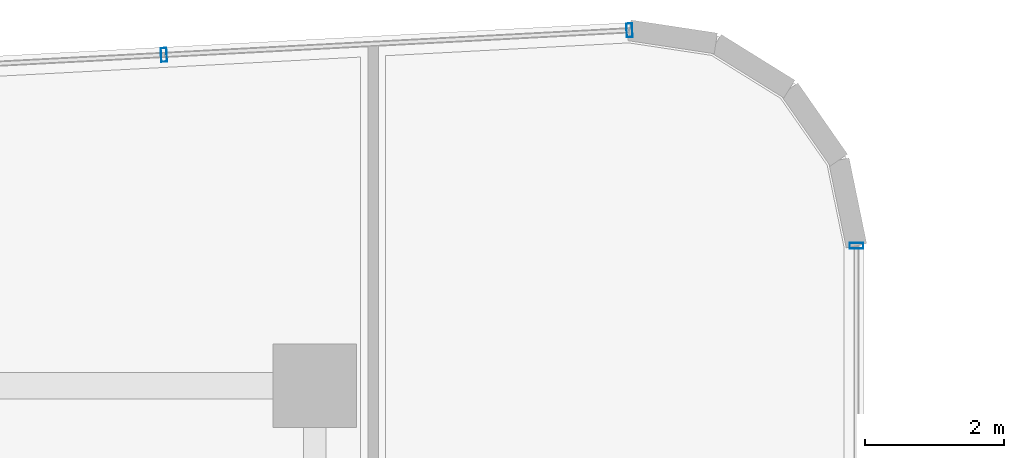
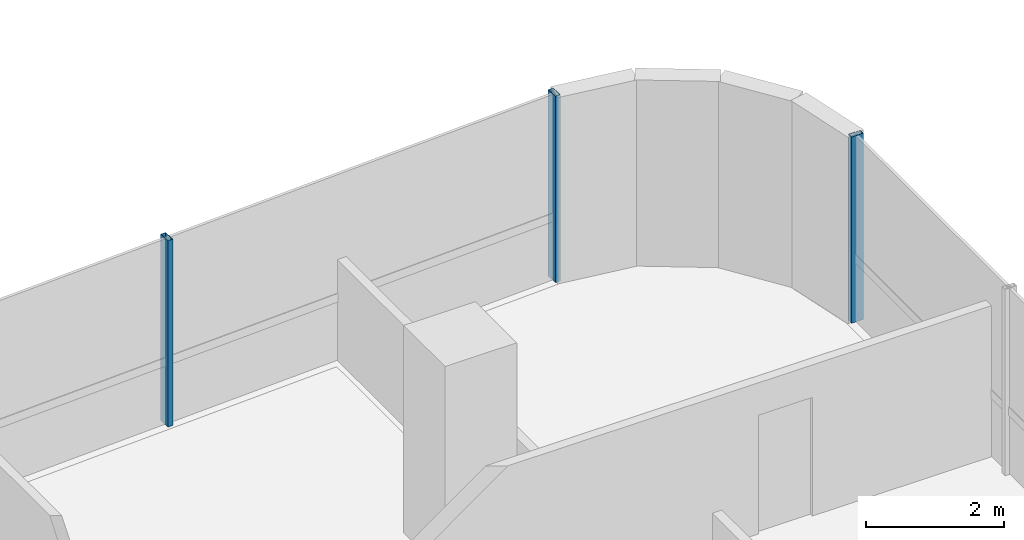
# One storey, part 22 of 35: 3 members, 2 elements without a shape of their own.
"""IFC4 building model written with IfcOpenShell, lengths in metres."""

from ifc_helpers import new_model, si_unit, direction, frame, origin, origin_2d, place, context, subcontext, project, spatial, hollow_rectangle, extrude, source, transform, mapped, material, material_profile, profile_set, type_object, element, aggregate, save


model = new_model("IFC4")

# Units and contexts
model_context = context("Model", 3, precision=1e-05, world=origin(), true_north=direction((0.0, 1.0)))
body_context = subcontext(model_context, "Body", "Model", "MODEL_VIEW")
ifc_project = project(units=[si_unit("LENGTHUNIT", "METRE"), si_unit("AREAUNIT", "SQUARE_METRE"), si_unit("VOLUMEUNIT", "CUBIC_METRE"), si_unit("PLANEANGLEUNIT", "RADIAN"), si_unit("MASSUNIT", "GRAM", prefix="KILO")], contexts=[model_context])

# Site, building, storey
site_placement = place(None, origin())
site = spatial("IfcSite", under=ifc_project, at=site_placement, CompositionType="ELEMENT")
building_placement = place(site_placement, origin())
building = spatial("IfcBuilding", under=site, at=building_placement, Name="Valdorenza Pilgrim Sanctuary Tower", CompositionType="ELEMENT")
storey_placement = place(building_placement, frame((0.0, 0.0, 168.60009765625)))
storey = spatial("IfcBuildingStorey", under=building, at=storey_placement, Name="L43", CompositionType="ELEMENT", Elevation=168.60009765625)

# Curtain wall, members
ifc_material_1 = material(Name="Curtain-wall IGU glazing", Category="glass")
curtain_wall_type = type_object("IfcCurtainWallType", Name="CW-SYS-02", PredefinedType="NOTDEFINED", material=ifc_material_1)
curtain_wall_1_placement = place(storey_placement, origin())
curtain_wall_1 = element("IfcCurtainWall", 1, at=curtain_wall_1_placement, inside=storey, type_object=curtain_wall_type, Name="L43 Curtain Wall CW-L43-1-6", PredefinedType="NOTDEFINED")
ifc_material_2 = material(Name="Anodised aluminium AW-6060", Category="aluminium")
ifc_material_profile = material_profile(ifc_material_2, hollow_rectangle(XDim=0.0849609375, YDim=0.199951171875, WallThickness=0.0048828125, at=origin_2d()), Name="ALU-M 200x85x5")
ifc_profile_set = profile_set([ifc_material_profile], Name="Anodised aluminium AW-6060")
member_type = type_object("IfcMemberType", Name="CW-MUL-02", PredefinedType="MULLION", material=ifc_profile_set)
shared_shape = source(origin(), body_context, "Body", "SweptSolid", [
    extrude(hollow_rectangle(XDim=0.0849609375, YDim=0.199951171875, WallThickness=0.0048828125, at=origin_2d()), origin(), (0.0, 0.0, 1.0), 3.2998046875),
])
member_1_placement = place(storey_placement, frame((-14.56689453125, 19.55810546875, 0.0), z_axis=(0.0, 0.0, 1.0), x_axis=(0.998607524712, 0.052754256601, 0.0)))
member_1 = element("IfcMember", 2, at=member_1_placement, type_object=member_type, Name="CW-L43-1-6 Mullion 3", PredefinedType="MULLION", context=body_context, shape_type="MappedRepresentation", body=[
    mapped(shared_shape, transform((0.0, 0.0, 0.0), x_axis=(1.0, 0.0, 0.0), y_axis=(0.0, 1.0, 0.0), z_axis=(0.0, 0.0, 1.0), scale=1.0)),
])
member_2_placement = place(storey_placement, frame((-7.874267578125, 19.91162109375, 0.0), z_axis=(0.0, 0.0, 1.0), x_axis=(0.998607524712, 0.052754256601, 0.0)))
member_2 = element("IfcMember", 3, at=member_2_placement, type_object=member_type, Name="CW-L43-1-6 Mullion 4", PredefinedType="MULLION", context=body_context, shape_type="MappedRepresentation", body=[
    mapped(shared_shape, transform((0.0, 0.0, 0.0), x_axis=(1.0, 0.0, 0.0), y_axis=(0.0, 1.0, 0.0), z_axis=(0.0, 0.0, 1.0), scale=1.0)),
])
aggregate(curtain_wall_1, [member_1, member_2])

# Curtain wall, member
curtain_wall_2_placement = place(storey_placement, origin())
curtain_wall_2 = element("IfcCurtainWall", 4, at=curtain_wall_2_placement, inside=storey, type_object=curtain_wall_type, Name="L43 Curtain Wall CW-L43-1-11", PredefinedType="NOTDEFINED")
member_3_placement = place(storey_placement, frame((-4.610107421875, 16.815185546875, 0.0), z_axis=(0.0, 0.0, 1.0), x_axis=(0.0, -1.0, 0.0)))
member_3 = element("IfcMember", 5, at=member_3_placement, type_object=member_type, Name="CW-L43-1-11 Mullion 1", PredefinedType="MULLION", context=body_context, shape_type="MappedRepresentation", body=[
    mapped(shared_shape, transform((0.0, 0.0, 0.0), x_axis=(1.0, 0.0, 0.0), y_axis=(0.0, 1.0, 0.0), z_axis=(0.0, 0.0, 1.0), scale=1.0)),
])
aggregate(curtain_wall_2, [member_3])

save(model, "model.ifc")
